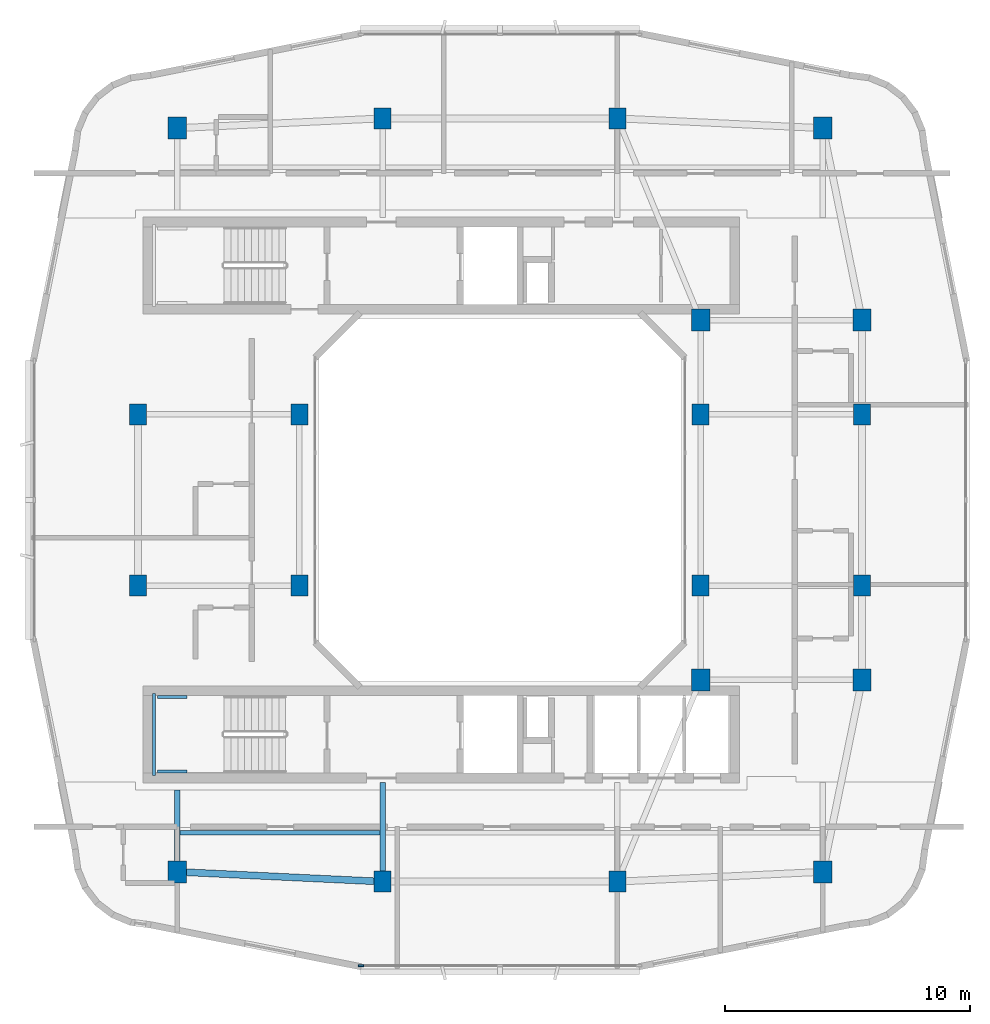
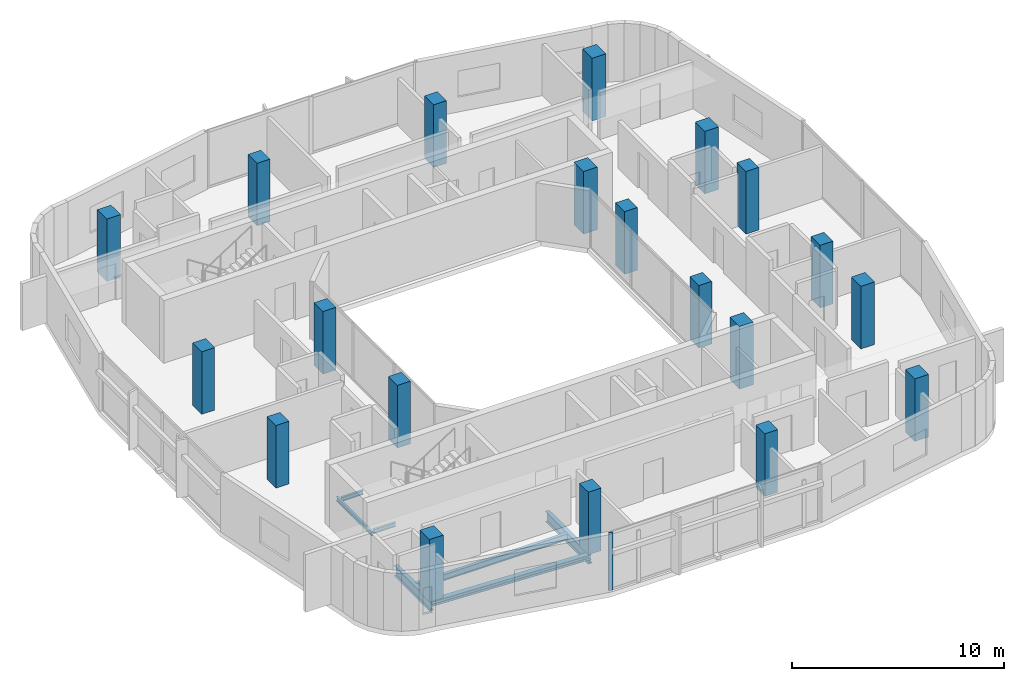
# One storey, part 1 of 14: 20 columns, 7 beams, 1 member, 1 element without a shape of its own.
"""IFC4 building model written with IfcOpenShell, lengths in metres."""

from ifc_helpers import new_model, si_unit, derived_unit, direction, frame, origin, origin_2d, place, context, subcontext, project, spatial, rectangle, i_section, extrude, material, layer, layer_set, material_profile, profile_set, type_object, element, aggregate, save


model = new_model("IFC4")

# Units and contexts
model_context = context("Model", 3, precision=1e-05, world=origin(), true_north=direction((0.0, 1.0)))
body_context = subcontext(model_context, "Body", "Model", "MODEL_VIEW")
ifc_project = project(units=[si_unit("LENGTHUNIT", "METRE"), si_unit("AREAUNIT", "SQUARE_METRE"), si_unit("VOLUMEUNIT", "CUBIC_METRE"), si_unit("PLANEANGLEUNIT", "RADIAN"), si_unit("MASSUNIT", "GRAM", prefix="KILO"), derived_unit("THERMALTRANSMITTANCEUNIT", [(si_unit("POWERUNIT", "WATT"), 1), (si_unit("LENGTHUNIT", "METRE"), -2), (si_unit("THERMODYNAMICTEMPERATUREUNIT", "KELVIN"), -1)])], contexts=[model_context])

# Site, building, storey
site_placement = place(None, origin())
site = spatial("IfcSite", under=ifc_project, at=site_placement, CompositionType="ELEMENT")
building_placement = place(site_placement, origin())
building = spatial("IfcBuilding", under=site, at=building_placement, Name="Kivonza Crest Hotel", CompositionType="ELEMENT")
storey_placement = place(building_placement, frame((0.0, 0.0, 213.5)))
storey = spatial("IfcBuildingStorey", under=building, at=storey_placement, Name="L58", CompositionType="ELEMENT", Elevation=213.5)

# Columns
ifc_material_1 = material(Name="Concrete C50/60", Category="concrete")
ifc_material_profile_1 = material_profile(ifc_material_1, rectangle(XDim=0.699951171875, YDim=0.85009765625, at=origin_2d()), Name="RC 850x700")
ifc_profile_set_1 = profile_set([ifc_material_profile_1], Name="Concrete C50/60")
column_type_1 = type_object("IfcColumnType", Name="CL-RC-850x700", PredefinedType="COLUMN", material=ifc_profile_set_1)
for number, where, z_axis, x_axis, name in (
    (1, (16.199951171875, 9.39990234375, 0.0), (0.0, 0.0, 1.0), (1.0, 0.0, 0.0), "Tower T1 L58 column S1"),
    (2, (25.800048828125, 9.39990234375, 0.0), (0.0, 0.0, 1.0), (1.0, 0.0, 0.0), "Tower T1 L58 column S2"),
    (3, (16.199951171875, 40.60009765625, 0.0), (0.0, 0.0, 1.0), (1.0, 0.0, 0.0), "Tower T1 L58 column N1"),
    (4, (25.800048828125, 40.60009765625, 0.0), (0.0, 0.0, 1.0), (1.0, 0.0, 0.0), "Tower T1 L58 column N2"),
    (5, (6.199951171875, 21.5, 0.0), (0.0, 0.0, 1.0), (1.0, 0.0, 0.0), "Tower T1 L58 column W1"),
    (6, (6.199951171875, 28.5, 0.0), (0.0, 0.0, 1.0), (1.0, 0.0, 0.0), "Tower T1 L58 column W2"),
    (7, (35.800048828125, 21.5, 0.0), (0.0, 0.0, 1.0), (1.0, 0.0, 0.0), "Tower T1 L58 column E1"),
    (8, (35.800048828125, 28.5, 0.0), (0.0, 0.0, 1.0), (1.0, 0.0, 0.0), "Tower T1 L58 column E2"),
    (9, (12.800048828125, 21.5, 0.0), (0.0, 0.0, 1.0), (1.0, 0.0, 0.0), "Tower T1 L58 column WL1"),
    (10, (12.800048828125, 28.5, 0.0), (0.0, 0.0, 1.0), (1.0, 0.0, 0.0), "Tower T1 L58 column WL2"),
    (11, (29.199951171875, 21.5, 0.0), (0.0, 0.0, 1.0), (1.0, 0.0, 0.0), "Tower T1 L58 column WR1"),
    (12, (29.199951171875, 28.5, 0.0), (0.0, 0.0, 1.0), (1.0, 0.0, 0.0), "Tower T1 L58 column WR2"),
):
    element("IfcColumn", number, at=place(storey_placement, frame(where, z_axis=z_axis, x_axis=x_axis)), inside=storey, type_object=column_type_1, Name=name, PredefinedType="COLUMN", context=body_context, shape_type="SweptSolid", body=[
        extrude(rectangle(XDim=0.699951171875, YDim=0.85009765625, at=origin_2d()), origin(), (0.0, 0.0, 1.0), 3.60009765625),
    ])
ifc_material_profile_2 = material_profile(ifc_material_1, rectangle(XDim=0.75, YDim=0.89990234375, at=origin_2d()), Name="RC 900x750")
ifc_profile_set_2 = profile_set([ifc_material_profile_2], Name="Concrete C50/60")
column_type_2 = type_object("IfcColumnType", Name="CL-RC-900x750", PredefinedType="COLUMN", material=ifc_profile_set_2)
for number, where, z_axis, x_axis, name in (
    (13, (7.800048828125, 9.800048828125, 0.0), (0.0, 0.0, 1.0), (1.0, 0.0, 0.0), "Tower T1 L58 column SW"),
    (14, (34.199951171875, 9.800048828125, 0.0), (0.0, 0.0, 1.0), (1.0, 0.0, 0.0), "Tower T1 L58 column SE"),
    (15, (34.199951171875, 40.199951171875, 0.0), (0.0, 0.0, 1.0), (1.0, 0.0, 0.0), "Tower T1 L58 column NE"),
    (16, (7.800048828125, 40.199951171875, 0.0), (0.0, 0.0, 1.0), (1.0, 0.0, 0.0), "Tower T1 L58 column NW"),
    (17, (35.800048828125, 17.64990234375, 0.0), (0.0, 0.0, 1.0), (1.0, 0.0, 0.0), "Tower T1 L58 column PSE"),
    (18, (35.800048828125, 32.35009765625, 0.0), (0.0, 0.0, 1.0), (1.0, 0.0, 0.0), "Tower T1 L58 column PNE"),
    (19, (29.199951171875, 17.64990234375, 0.0), (0.0, 0.0, 1.0), (1.0, 0.0, 0.0), "Tower T1 L58 column TSE"),
    (20, (29.199951171875, 32.35009765625, 0.0), (0.0, 0.0, 1.0), (1.0, 0.0, 0.0), "Tower T1 L58 column TNE"),
):
    element("IfcColumn", number, at=place(storey_placement, frame(where, z_axis=z_axis, x_axis=x_axis)), inside=storey, type_object=column_type_2, Name=name, PredefinedType="COLUMN", context=body_context, shape_type="SweptSolid", body=[
        extrude(rectangle(XDim=0.75, YDim=0.89990234375, at=origin_2d()), origin(), (0.0, 0.0, 1.0), 3.60009765625),
    ])

# Beams
ifc_material_2 = material(Name="Steel S355", Category="steel")
ifc_material_profile_3 = material_profile(ifc_material_2, i_section(OverallWidth=0.280029296875, OverallDepth=0.280029296875, WebThickness=0.010498046875, FlangeThickness=0.01806640625, FilletRadius=0.02392578125, at=origin_2d()), Name="HEB 280")
ifc_profile_set_3 = profile_set([ifc_material_profile_3], Name="Steel S355")
beam_type_1 = type_object("IfcBeamType", Name="BM-HEB280", PredefinedType="SPANDREL", material=ifc_profile_set_3)
beam_1_placement = place(storey_placement, frame((7.800048828125, 9.800048828125, -0.419921875), z_axis=(0.998867283688, -0.047583080799, 0.0), x_axis=(0.047583080799, 0.998867283688, 0.0)))
element("IfcBeam", 21, at=beam_1_placement, inside=storey, type_object=beam_type_1, Name="Tower T1 L58 perimeter spandrel SW-S1", PredefinedType="SPANDREL", context=body_context, shape_type="SweptSolid", body=[
    extrude(i_section(OverallWidth=0.280029296875, OverallDepth=0.280029296875, WebThickness=0.010498046875, FlangeThickness=0.01806640625, FilletRadius=0.02392578125, at=origin_2d()), origin(), (0.0, 0.0, 1.0), 8.409423828125),
])
ifc_material_profile_4 = material_profile(ifc_material_2, i_section(OverallWidth=0.169921875, OverallDepth=0.360107421875, WebThickness=0.008056640625, FlangeThickness=0.0126953125, FilletRadius=0.01806640625, at=origin_2d()), Name="IPE 360")
ifc_profile_set_4 = profile_set([ifc_material_profile_4], Name="Steel S355")
beam_type_2 = type_object("IfcBeamType", Name="BM-IPE360", PredefinedType="JOIST", material=ifc_profile_set_4)
beam_2_placement = place(storey_placement, frame((7.8798828125, 11.39990234375, -0.4599609375), z_axis=(1.0, 0.0, 0.0), x_axis=(0.0, 1.0, 0.0)))
element("IfcBeam", 22, at=beam_2_placement, inside=storey, type_object=beam_type_2, Name="Tower T1 L58 South-West floor joist", PredefinedType="JOIST", context=body_context, shape_type="SweptSolid", body=[
    extrude(i_section(OverallWidth=0.169921875, OverallDepth=0.360107421875, WebThickness=0.008056640625, FlangeThickness=0.0126953125, FilletRadius=0.01806640625, at=origin_2d()), origin(), (0.0, 0.0, 1.0), 8.240234375),
])
ifc_material_profile_5 = material_profile(ifc_material_2, i_section(OverallWidth=0.219970703125, OverallDepth=0.60009765625, WebThickness=0.011962890625, FlangeThickness=0.01904296875, FilletRadius=0.02392578125, at=origin_2d()), Name="IPE 600")
ifc_profile_set_5 = profile_set([ifc_material_profile_5], Name="Steel S355")
beam_type_3 = type_object("IfcBeamType", Name="BM-IPE600", PredefinedType="BEAM", material=ifc_profile_set_5)
beam_3_placement = place(storey_placement, frame((7.800048828125, 9.800048828125, -0.580078125), z_axis=(0.0, 1.0, 0.0), x_axis=(-1.0, 0.0, 0.0)))
element("IfcBeam", 23, at=beam_3_placement, inside=storey, type_object=beam_type_3, Name="Tower T1 L58 radial core girder RSW", PredefinedType="BEAM", context=body_context, shape_type="SweptSolid", body=[
    extrude(i_section(OverallWidth=0.219970703125, OverallDepth=0.60009765625, WebThickness=0.011962890625, FlangeThickness=0.01904296875, FilletRadius=0.02392578125, at=origin_2d()), origin(), (0.0, 0.0, 1.0), 3.349853515625),
])
beam_4_placement = place(storey_placement, frame((16.199951171875, 9.39990234375, -0.580078125), z_axis=(0.0, 1.0, 0.0), x_axis=(-1.0, 0.0, 0.0)))
element("IfcBeam", 24, at=beam_4_placement, inside=storey, type_object=beam_type_3, Name="Tower T1 L58 radial core girder RS1", PredefinedType="BEAM", context=body_context, shape_type="SweptSolid", body=[
    extrude(i_section(OverallWidth=0.219970703125, OverallDepth=0.60009765625, WebThickness=0.011962890625, FlangeThickness=0.01904296875, FilletRadius=0.02392578125, at=origin_2d()), origin(), (0.0, 0.0, 1.0), 4.050048828125),
])
ifc_material_profile_6 = material_profile(ifc_material_2, i_section(OverallWidth=0.1201171875, OverallDepth=0.239990234375, WebThickness=0.006103515625, FlangeThickness=0.009765625, FilletRadius=0.014892578125, at=origin_2d()), Name="IPE 240")
ifc_profile_set_6 = profile_set([ifc_material_profile_6], Name="Steel S355")
beam_type_4 = type_object("IfcBeamType", Name="BM-LLDG-240", PredefinedType="BEAM", material=ifc_profile_set_6)
beam_5_placement = place(storey_placement, frame((6.860107421875, 13.739990234375, 1.47998046875), z_axis=(0.0, 1.0, 0.0), x_axis=(-1.0, 0.0, 0.0)))
element("IfcBeam", 25, at=beam_5_placement, inside=storey, type_object=beam_type_4, Name="Stair ST-T1-S L58 West landing corbel", PredefinedType="BEAM", context=body_context, shape_type="SweptSolid", body=[
    extrude(i_section(OverallWidth=0.1201171875, OverallDepth=0.239990234375, WebThickness=0.006103515625, FlangeThickness=0.009765625, FilletRadius=0.014892578125, at=origin_2d()), origin(), (0.0, 0.0, 1.0), 3.360107421875),
])
for number, where, z_axis, x_axis, name in (
    (26, (6.989990234375, 13.89990234375, 1.47998046875), (1.0, 0.0, 0.0), (0.0, 1.0, 0.0), "Stair ST-T1-S L58 South landing corbel"),
    (27, (6.989990234375, 16.93994140625, 1.47998046875), (1.0, 0.0, 0.0), (0.0, 1.0, 0.0), "Stair ST-T1-S L58 North landing corbel"),
):
    element("IfcBeam", number, at=place(storey_placement, frame(where, z_axis=z_axis, x_axis=x_axis)), inside=storey, type_object=beam_type_4, Name=name, PredefinedType="BEAM", context=body_context, shape_type="SweptSolid", body=[
        extrude(i_section(OverallWidth=0.1201171875, OverallDepth=0.239990234375, WebThickness=0.006103515625, FlangeThickness=0.009765625, FilletRadius=0.014892578125, at=origin_2d()), origin(), (0.0, 0.0, 1.0), 1.2099609375),
    ])

# Curtain wall, member
ifc_material_3 = material(Name="Anodised bronze aluminium and low-E double glazing", Category="aluminium")
ifc_layer = layer(ifc_material_3, 0.179931640625)
ifc_layer_set = layer_set([ifc_layer], Name="Anodised bronze aluminium and low-E double glazing")
curtain_wall_type = type_object("IfcCurtainWallType", Name="CW-SYS-3", PredefinedType="NOTDEFINED", material=ifc_layer_set)
curtain_wall_placement = place(storey_placement, origin())
curtain_wall = element("IfcCurtainWall", 28, at=curtain_wall_placement, inside=storey, type_object=curtain_wall_type, Name="L58 unitised curtain wall CW-T1-L58-08", PredefinedType="NOTDEFINED")
ifc_material_4 = material(Name="Anodised bronze aluminium", Category="aluminium")
ifc_material_profile_7 = material_profile(ifc_material_4, rectangle(XDim=0.074951171875, YDim=0.219970703125, at=origin_2d()), Name="CW-M 75x220")
ifc_profile_set_7 = profile_set([ifc_material_profile_7], Name="Anodised bronze aluminium")
member_type = type_object("IfcMemberType", Name="CW-MUL-75x220", PredefinedType="MULLION", material=ifc_profile_set_7)
member_placement = place(storey_placement, frame((15.3173828125, 5.9599609375, 0.0), z_axis=(0.0, 0.0, 1.0), x_axis=(0.0, 1.0, 0.0)))
member = element("IfcMember", 29, at=member_placement, type_object=member_type, Name="CW-3 mullion 1", PredefinedType="MULLION", context=body_context, shape_type="SweptSolid", body=[
    extrude(rectangle(XDim=0.074951171875, YDim=0.219970703125, at=origin_2d()), origin(), (0.0, 0.0, 1.0), 3.320068359375),
])
aggregate(curtain_wall, [member])

save(model, "model.ifc")
